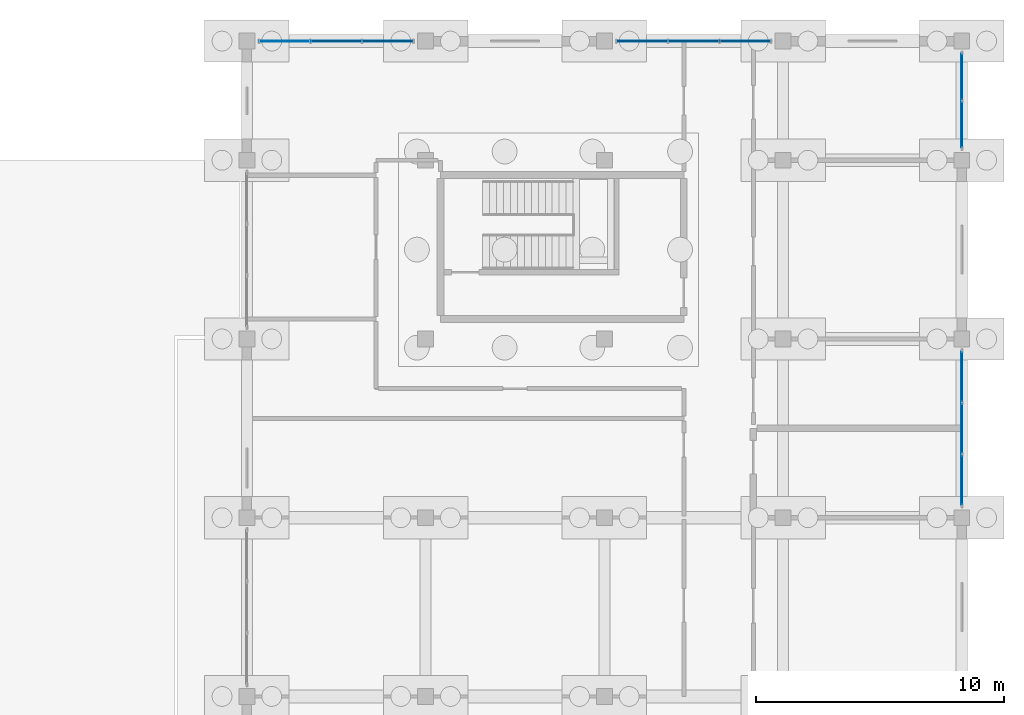
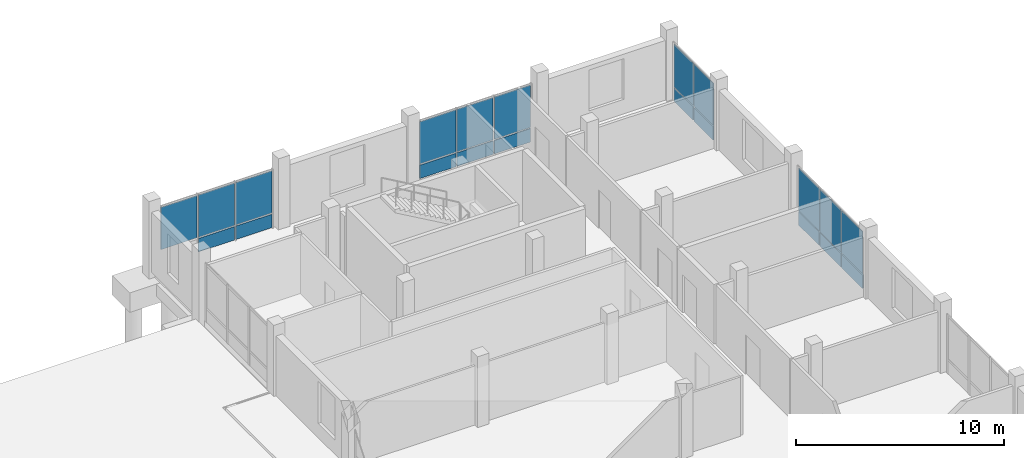
# One storey, part 70 of 98: 21 plates, 4 elements without a shape of their own.
"""IFC4 building model written with IfcOpenShell, lengths in metres."""

from ifc_helpers import new_model, si_unit, direction, frame, origin, origin_2d, place, context, subcontext, project, spatial, rectangle, extrude, material, layer, layer_set, type_object, element, aggregate, save


model = new_model("IFC4")

# Units and contexts
model_context = context("Model", 3, precision=1e-05, world=origin(), true_north=direction((0.0, 1.0)))
body_context = subcontext(model_context, "Body", "Model", "MODEL_VIEW")
ifc_project = project(units=[si_unit("LENGTHUNIT", "METRE"), si_unit("AREAUNIT", "SQUARE_METRE"), si_unit("VOLUMEUNIT", "CUBIC_METRE"), si_unit("PLANEANGLEUNIT", "RADIAN"), si_unit("MASSUNIT", "GRAM", prefix="KILO")], contexts=[model_context])

# Site, building, storey
site_placement = place(None, origin())
site = spatial("IfcSite", under=ifc_project, at=site_placement, CompositionType="ELEMENT")
building_placement = place(site_placement, origin())
building = spatial("IfcBuilding", under=site, at=building_placement, Name="Zornivar Specialist Clinic", CompositionType="ELEMENT")
storey_placement = place(building_placement, origin())
storey = spatial("IfcBuildingStorey", under=building, at=storey_placement, Name="L00", CompositionType="ELEMENT", Elevation=0.0)

# Curtain wall, plates
ifc_material_1 = material(Name="Aluminium and Low-E Glass Curtain Wall", Category="aluminium")
curtain_wall_type = type_object("IfcCurtainWallType", Name="CW-LAB-NORTH", PredefinedType="NOTDEFINED", material=ifc_material_1)
curtain_wall_1_placement = place(storey_placement, origin())
curtain_wall_1 = element("IfcCurtainWall", 1, at=curtain_wall_1_placement, inside=storey, type_object=curtain_wall_type, Name="cw:V6:L00:08", PredefinedType="NOTDEFINED")
ifc_material_2 = material(Name="Insulated Limestone-Faced Spandrel Panel", Category="masonry")
ifc_layer_1 = layer(ifc_material_2, 0.05810546875)
ifc_layer_set_1 = layer_set([ifc_layer_1], Name="Insulated Limestone-Faced Spandrel Panel")
plate_type_1 = type_object("IfcPlateType", Name="CWP-SPN-D", PredefinedType="CURTAIN_PANEL", material=ifc_layer_set_1)
plate_1_placement = place(storey_placement, frame((165.60009765625, 95.1201171875, 0.030029296875), z_axis=(0.0, 0.0, 1.0), x_axis=(0.0, 1.0, 0.0)))
plate_1 = element("IfcPlate", 2, at=plate_1_placement, type_object=plate_type_1, Name="cw:V6:L00:08:spn:0", PredefinedType="CURTAIN_PANEL", context=body_context, shape_type="SweptSolid", body=[
    extrude(rectangle(XDim=2.010009765625, YDim=0.05810546875, at=origin_2d()), origin(), (0.0, 0.0, 1.0), 0.7900390625),
])
plate_2_placement = place(storey_placement, frame((165.60009765625, 97.199951171875, 0.030029296875), z_axis=(0.0, 0.0, 1.0), x_axis=(0.0, 1.0, 0.0)))
plate_2 = element("IfcPlate", 3, at=plate_2_placement, type_object=plate_type_1, Name="cw:V6:L00:08:spn:1", PredefinedType="CURTAIN_PANEL", context=body_context, shape_type="SweptSolid", body=[
    extrude(rectangle(XDim=2.010009765625, YDim=0.05810546875, at=origin_2d()), origin(), (0.0, 0.0, 1.0), 0.7900390625),
])
plate_3_placement = place(storey_placement, frame((165.60009765625, 99.280029296875, 0.030029296875), z_axis=(0.0, 0.0, 1.0), x_axis=(0.0, 1.0, 0.0)))
plate_3 = element("IfcPlate", 4, at=plate_3_placement, type_object=plate_type_1, Name="cw:V6:L00:08:spn:2", PredefinedType="CURTAIN_PANEL", context=body_context, shape_type="SweptSolid", body=[
    extrude(rectangle(XDim=2.010009765625, YDim=0.05810546875, at=origin_2d()), origin(), (0.0, 0.0, 1.0), 0.7900390625),
])

curtain_wall_2_placement = place(storey_placement, origin())
curtain_wall_2 = element("IfcCurtainWall", 5, at=curtain_wall_2_placement, inside=storey, type_object=curtain_wall_type, Name="cw:V6:L00:10", PredefinedType="NOTDEFINED")
plate_4_placement = place(storey_placement, frame((165.60009765625, 109.43994140625, 0.030029296875), z_axis=(0.0, 0.0, 1.0), x_axis=(0.0, 1.0, 0.0)))
plate_4 = element("IfcPlate", 6, at=plate_4_placement, type_object=plate_type_1, Name="cw:V6:L00:10:spn:0", PredefinedType="CURTAIN_PANEL", context=body_context, shape_type="SweptSolid", body=[
    extrude(rectangle(XDim=1.85009765625, YDim=0.05810546875, at=origin_2d()), origin(), (0.0, 0.0, 1.0), 0.7900390625),
])
plate_5_placement = place(storey_placement, frame((165.60009765625, 111.360107421875, 0.030029296875), z_axis=(0.0, 0.0, 1.0), x_axis=(0.0, 1.0, 0.0)))
plate_5 = element("IfcPlate", 7, at=plate_5_placement, type_object=plate_type_1, Name="cw:V6:L00:10:spn:1", PredefinedType="CURTAIN_PANEL", context=body_context, shape_type="SweptSolid", body=[
    extrude(rectangle(XDim=1.85009765625, YDim=0.05810546875, at=origin_2d()), origin(), (0.0, 0.0, 1.0), 0.7900390625),
])

curtain_wall_3_placement = place(storey_placement, origin())
curtain_wall_3 = element("IfcCurtainWall", 8, at=curtain_wall_3_placement, inside=storey, type_object=curtain_wall_type, Name="cw:V6:L00:12", PredefinedType="NOTDEFINED")
plate_6_placement = place(storey_placement, frame((156.8798828125, 112.800048828125, 0.030029296875), z_axis=(0.0, 0.0, 1.0), x_axis=(-1.0, 0.0, 0.0)))
plate_6 = element("IfcPlate", 9, at=plate_6_placement, type_object=plate_type_1, Name="cw:V6:L00:12:spn:0", PredefinedType="CURTAIN_PANEL", context=body_context, shape_type="SweptSolid", body=[
    extrude(rectangle(XDim=2.010009765625, YDim=0.05810546875, at=origin_2d()), origin(), (0.0, 0.0, 1.0), 0.7900390625),
])
plate_7_placement = place(storey_placement, frame((154.800048828125, 112.800048828125, 0.030029296875), z_axis=(0.0, 0.0, 1.0), x_axis=(-1.0, 0.0, 0.0)))
plate_7 = element("IfcPlate", 10, at=plate_7_placement, type_object=plate_type_1, Name="cw:V6:L00:12:spn:1", PredefinedType="CURTAIN_PANEL", context=body_context, shape_type="SweptSolid", body=[
    extrude(rectangle(XDim=2.010009765625, YDim=0.05810546875, at=origin_2d()), origin(), (0.0, 0.0, 1.0), 0.7900390625),
])
plate_8_placement = place(storey_placement, frame((152.719970703125, 112.800048828125, 0.030029296875), z_axis=(0.0, 0.0, 1.0), x_axis=(-1.0, 0.0, 0.0)))
plate_8 = element("IfcPlate", 11, at=plate_8_placement, type_object=plate_type_1, Name="cw:V6:L00:12:spn:2", PredefinedType="CURTAIN_PANEL", context=body_context, shape_type="SweptSolid", body=[
    extrude(rectangle(XDim=2.010009765625, YDim=0.05810546875, at=origin_2d()), origin(), (0.0, 0.0, 1.0), 0.7900390625),
])

curtain_wall_4_placement = place(storey_placement, origin())
curtain_wall_4 = element("IfcCurtainWall", 12, at=curtain_wall_4_placement, inside=storey, type_object=curtain_wall_type, Name="cw:V6:L00:14", PredefinedType="NOTDEFINED")
plate_9_placement = place(storey_placement, frame((142.47998046875, 112.800048828125, 0.030029296875), z_axis=(0.0, 0.0, 1.0), x_axis=(-1.0, 0.0, 0.0)))
plate_9 = element("IfcPlate", 13, at=plate_9_placement, type_object=plate_type_1, Name="cw:V6:L00:14:spn:0", PredefinedType="CURTAIN_PANEL", context=body_context, shape_type="SweptSolid", body=[
    extrude(rectangle(XDim=2.010009765625, YDim=0.05810546875, at=origin_2d()), origin(), (0.0, 0.0, 1.0), 0.7900390625),
])
plate_10_placement = place(storey_placement, frame((140.39990234375, 112.800048828125, 0.030029296875), z_axis=(0.0, 0.0, 1.0), x_axis=(-1.0, 0.0, 0.0)))
plate_10 = element("IfcPlate", 14, at=plate_10_placement, type_object=plate_type_1, Name="cw:V6:L00:14:spn:1", PredefinedType="CURTAIN_PANEL", context=body_context, shape_type="SweptSolid", body=[
    extrude(rectangle(XDim=2.010009765625, YDim=0.05810546875, at=origin_2d()), origin(), (0.0, 0.0, 1.0), 0.7900390625),
])

# Plate
ifc_material_3 = material(Name="Triple Low-E Vision Glass", Category="glass")
ifc_layer_2 = layer(ifc_material_3, 0.035888671875)
ifc_layer_set_2 = layer_set([ifc_layer_2], Name="Triple Low-E Vision Glass")
plate_type_2 = type_object("IfcPlateType", Name="CWP-VIS-F", PredefinedType="CURTAIN_PANEL", material=ifc_layer_set_2)
plate_11_placement = place(storey_placement, frame((165.60009765625, 109.43994140625, 0.88427734375), z_axis=(0.0, 0.0, 1.0), x_axis=(0.0, 1.0, 0.0)))
plate_11 = element("IfcPlate", 15, at=plate_11_placement, type_object=plate_type_2, Name="cw:V6:L00:10:vis:0", PredefinedType="CURTAIN_PANEL", context=body_context, shape_type="SweptSolid", body=[
    extrude(rectangle(XDim=1.85009765625, YDim=0.035888671875, at=origin_2d()), origin(), (0.0, 0.0, 1.0), 2.485107421875),
])

plate_12_placement = place(storey_placement, frame((165.60009765625, 111.360107421875, 0.88427734375), z_axis=(0.0, 0.0, 1.0), x_axis=(0.0, 1.0, 0.0)))
plate_12 = element("IfcPlate", 16, at=plate_12_placement, type_object=plate_type_2, Name="cw:V6:L00:10:vis:1", PredefinedType="CURTAIN_PANEL", context=body_context, shape_type="SweptSolid", body=[
    extrude(rectangle(XDim=1.85009765625, YDim=0.035888671875, at=origin_2d()), origin(), (0.0, 0.0, 1.0), 2.485107421875),
])

aggregate(curtain_wall_2, [plate_4, plate_11, plate_5, plate_12])

plate_13_placement = place(storey_placement, frame((142.47998046875, 112.800048828125, 0.88427734375), z_axis=(0.0, 0.0, 1.0), x_axis=(-1.0, 0.0, 0.0)))
plate_13 = element("IfcPlate", 17, at=plate_13_placement, type_object=plate_type_2, Name="cw:V6:L00:14:vis:0", PredefinedType="CURTAIN_PANEL", context=body_context, shape_type="SweptSolid", body=[
    extrude(rectangle(XDim=2.010009765625, YDim=0.035888671875, at=origin_2d()), origin(), (0.0, 0.0, 1.0), 2.485107421875),
])

plate_14_placement = place(storey_placement, frame((140.39990234375, 112.800048828125, 0.88427734375), z_axis=(0.0, 0.0, 1.0), x_axis=(-1.0, 0.0, 0.0)))
plate_14 = element("IfcPlate", 18, at=plate_14_placement, type_object=plate_type_2, Name="cw:V6:L00:14:vis:1", PredefinedType="CURTAIN_PANEL", context=body_context, shape_type="SweptSolid", body=[
    extrude(rectangle(XDim=2.010009765625, YDim=0.035888671875, at=origin_2d()), origin(), (0.0, 0.0, 1.0), 2.485107421875),
])

plate_15_placement = place(storey_placement, frame((138.320068359375, 112.800048828125, 0.88427734375), z_axis=(0.0, 0.0, 1.0), x_axis=(-1.0, 0.0, 0.0)))
plate_15 = element("IfcPlate", 19, at=plate_15_placement, type_object=plate_type_2, Name="cw:V6:L00:14:vis:2", PredefinedType="CURTAIN_PANEL", context=body_context, shape_type="SweptSolid", body=[
    extrude(rectangle(XDim=2.010009765625, YDim=0.035888671875, at=origin_2d()), origin(), (0.0, 0.0, 1.0), 2.485107421875),
])

aggregate(curtain_wall_4, [plate_9, plate_13, plate_10, plate_14, plate_15])

ifc_material_4 = material(Name="Triple Low-E Vision Glass", Category="glass")
ifc_layer_3 = layer(ifc_material_4, 0.035888671875)
ifc_layer_set_3 = layer_set([ifc_layer_3], Name="Triple Low-E Vision Glass")
plate_type_3 = type_object("IfcPlateType", Name="CWP-VIS-G", PredefinedType="CURTAIN_PANEL", material=ifc_layer_set_3)
plate_16_placement = place(storey_placement, frame((165.60009765625, 95.1201171875, 0.88427734375), z_axis=(0.0, 0.0, 1.0), x_axis=(0.0, 1.0, 0.0)))
plate_16 = element("IfcPlate", 20, at=plate_16_placement, type_object=plate_type_3, Name="cw:V6:L00:08:vis:0", PredefinedType="CURTAIN_PANEL", context=body_context, shape_type="SweptSolid", body=[
    extrude(rectangle(XDim=2.010009765625, YDim=0.035888671875, at=origin_2d()), origin(), (0.0, 0.0, 1.0), 2.485107421875),
])

plate_17_placement = place(storey_placement, frame((165.60009765625, 97.199951171875, 0.88427734375), z_axis=(0.0, 0.0, 1.0), x_axis=(0.0, 1.0, 0.0)))
plate_17 = element("IfcPlate", 21, at=plate_17_placement, type_object=plate_type_3, Name="cw:V6:L00:08:vis:1", PredefinedType="CURTAIN_PANEL", context=body_context, shape_type="SweptSolid", body=[
    extrude(rectangle(XDim=2.010009765625, YDim=0.035888671875, at=origin_2d()), origin(), (0.0, 0.0, 1.0), 2.485107421875),
])

plate_18_placement = place(storey_placement, frame((165.60009765625, 99.280029296875, 0.88427734375), z_axis=(0.0, 0.0, 1.0), x_axis=(0.0, 1.0, 0.0)))
plate_18 = element("IfcPlate", 22, at=plate_18_placement, type_object=plate_type_3, Name="cw:V6:L00:08:vis:2", PredefinedType="CURTAIN_PANEL", context=body_context, shape_type="SweptSolid", body=[
    extrude(rectangle(XDim=2.010009765625, YDim=0.035888671875, at=origin_2d()), origin(), (0.0, 0.0, 1.0), 2.485107421875),
])

aggregate(curtain_wall_1, [plate_1, plate_16, plate_2, plate_17, plate_3, plate_18])

plate_19_placement = place(storey_placement, frame((156.8798828125, 112.800048828125, 0.88427734375), z_axis=(0.0, 0.0, 1.0), x_axis=(-1.0, 0.0, 0.0)))
plate_19 = element("IfcPlate", 23, at=plate_19_placement, type_object=plate_type_3, Name="cw:V6:L00:12:vis:0", PredefinedType="CURTAIN_PANEL", context=body_context, shape_type="SweptSolid", body=[
    extrude(rectangle(XDim=2.010009765625, YDim=0.035888671875, at=origin_2d()), origin(), (0.0, 0.0, 1.0), 2.485107421875),
])

plate_20_placement = place(storey_placement, frame((154.800048828125, 112.800048828125, 0.88427734375), z_axis=(0.0, 0.0, 1.0), x_axis=(-1.0, 0.0, 0.0)))
plate_20 = element("IfcPlate", 24, at=plate_20_placement, type_object=plate_type_3, Name="cw:V6:L00:12:vis:1", PredefinedType="CURTAIN_PANEL", context=body_context, shape_type="SweptSolid", body=[
    extrude(rectangle(XDim=2.010009765625, YDim=0.035888671875, at=origin_2d()), origin(), (0.0, 0.0, 1.0), 2.485107421875),
])

plate_21_placement = place(storey_placement, frame((152.719970703125, 112.800048828125, 0.88427734375), z_axis=(0.0, 0.0, 1.0), x_axis=(-1.0, 0.0, 0.0)))
plate_21 = element("IfcPlate", 25, at=plate_21_placement, type_object=plate_type_3, Name="cw:V6:L00:12:vis:2", PredefinedType="CURTAIN_PANEL", context=body_context, shape_type="SweptSolid", body=[
    extrude(rectangle(XDim=2.010009765625, YDim=0.035888671875, at=origin_2d()), origin(), (0.0, 0.0, 1.0), 2.485107421875),
])

aggregate(curtain_wall_3, [plate_6, plate_19, plate_7, plate_20, plate_8, plate_21])

save(model, "model.ifc")
